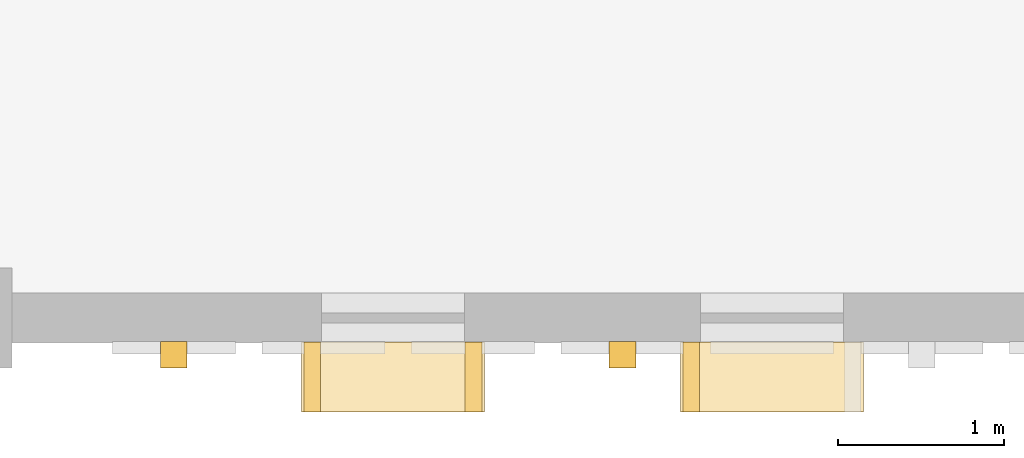
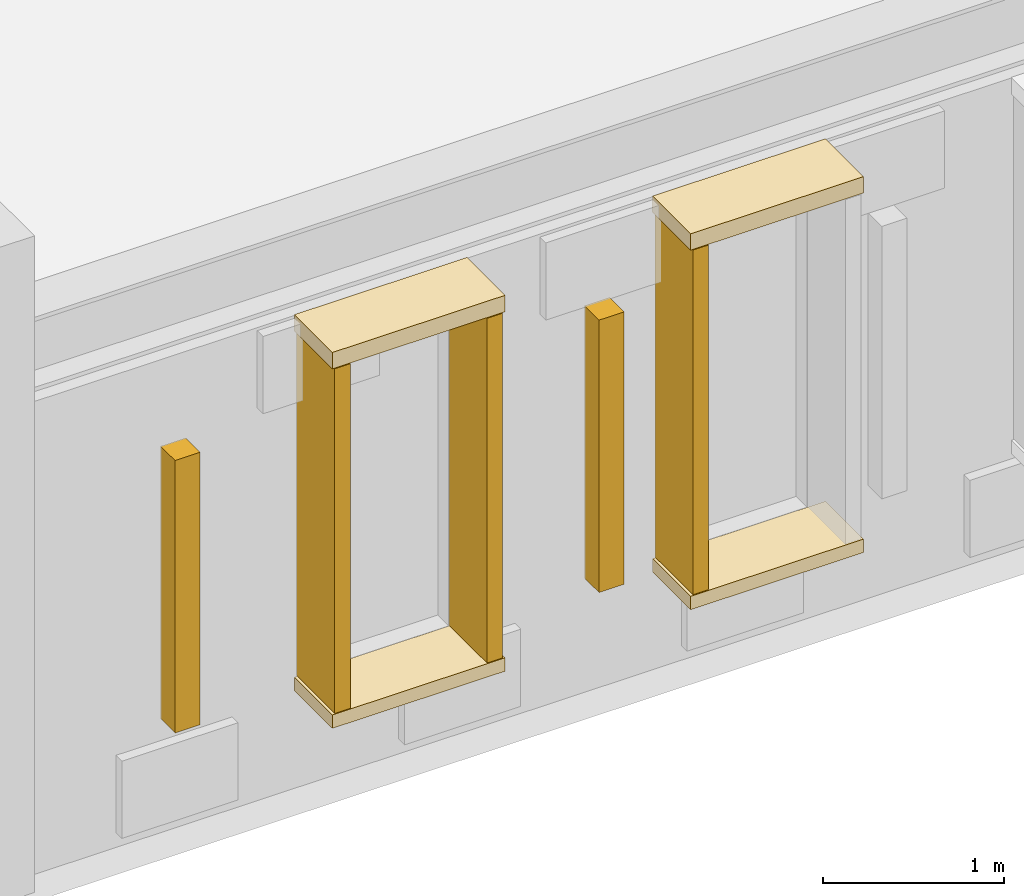
# One storey, part 54 of 69: 9 coverings.
"""IFC4 building model written with IfcOpenShell, lengths in metres."""

import ifcopenshell
import ifcopenshell.guid

model = None  # the IFC model being written
_history = None  # IfcOwnerHistory: only IFC2X3 demands one
_inside = {}  # id of a spatial element -> (the spatial element, [elements in it])
_under = {}  # id of a project, library or spatial element -> (it, [spatial elements below it])
_declared = {}  # id of a project -> (the project, [libraries it declares])
_typed = {}  # id of a type object -> (the type object, [elements of that type])
_made_of = {}  # id of a material, layer set ... -> (it, [elements and type objects made of it])


def new_model(schema):
    """Start an empty IFC model of exactly this schema.

    Asked for "IFC4X3", IfcOpenShell would pick the latest addendum, in which some entities
    have other attributes; the version numbers below select the first issue.
    IFC2X3 requires an IfcOwnerHistory on every rooted entity: one is made here for all.
    """
    global model, _history
    if schema == "IFC4X3":
        model = ifcopenshell.file(schema_version=(4, 3, 0, 0))
    else:
        model = ifcopenshell.file(schema=schema)
    _inside.clear()
    _under.clear()
    _declared.clear()
    _typed.clear()
    _made_of.clear()
    _history = None
    if model.schema == "IFC2X3":
        org = make("IfcOrganization", Name="unknown")
        user = make(
            "IfcPersonAndOrganization",
            ThePerson=make("IfcPerson", FamilyName="unknown"),
            TheOrganization=org,
        )
        app = make(
            "IfcApplication",
            ApplicationDeveloper=org,
            Version="unknown",
            ApplicationFullName="unknown",
            ApplicationIdentifier="unknown",
        )
        _history = make(
            "IfcOwnerHistory",
            OwningUser=user,
            OwningApplication=app,
            ChangeAction="ADDED",
            CreationDate=0,
        )
    return model


def make(cls, **values):
    """One entity of the class cls with the attributes given. An attribute that is None is left unset."""
    return model.create_entity(
        cls, **{name: value for name, value in values.items() if value is not None}
    )


def rooted(cls, **values):
    """An entity with a GlobalId (a new one), such as an element, a storey or a relation."""
    return make(cls, GlobalId=ifcopenshell.guid.new(), OwnerHistory=_history, **values)


def si_unit(unit_type, name, prefix=None):
    """IfcSIUnit, for example si_unit("LENGTHUNIT", "METRE", prefix="MILLI")."""
    return make("IfcSIUnit", UnitType=unit_type, Prefix=prefix, Name=name)


def assignment(units):
    """IfcUnitAssignment: the units of a project."""
    return None if units is None else make("IfcUnitAssignment", Units=units)


def point(xyz):
    """IfcCartesianPoint."""
    return None if xyz is None else make("IfcCartesianPoint", Coordinates=xyz)


def direction(xyz):
    """IfcDirection."""
    return None if xyz is None else make("IfcDirection", DirectionRatios=xyz)


def frame(location, z_axis=None, x_axis=None):
    """IfcAxis2Placement3D, a coordinate frame: its origin and axes. An axis left out is left unset."""
    return make(
        "IfcAxis2Placement3D",
        Location=point(location),
        Axis=direction(z_axis),
        RefDirection=direction(x_axis),
    )


def frame_2d(location, x_axis=None):
    """IfcAxis2Placement2D, a coordinate frame in the plane: its origin and x axis."""
    return make(
        "IfcAxis2Placement2D", Location=point(location), RefDirection=direction(x_axis)
    )


def origin():
    """The frame at (0, 0, 0) with its axes left unset."""
    return frame((0.0, 0.0, 0.0))


def origin_2d():
    """The frame at (0, 0) in the plane with its x axis left unset."""
    return frame_2d((0.0, 0.0))


def place(relative_to, where):
    """IfcLocalPlacement: puts the frame where relative to a parent placement (None: the world)."""
    return make(
        "IfcLocalPlacement", PlacementRelTo=relative_to, RelativePlacement=where
    )


def context(
    kind, dimensions, precision=None, world=None, true_north=None, identifier=None
):
    """IfcGeometricRepresentationContext, for example the 3D "Model" context."""
    return make(
        "IfcGeometricRepresentationContext",
        ContextIdentifier=identifier,
        ContextType=kind,
        CoordinateSpaceDimension=dimensions,
        Precision=precision,
        WorldCoordinateSystem=world,
        TrueNorth=true_north,
    )


def subcontext(parent, identifier, kind, view, scale=None):
    """IfcGeometricRepresentationSubContext, for example "Body" below "Model"."""
    return make(
        "IfcGeometricRepresentationSubContext",
        ContextIdentifier=identifier,
        ContextType=kind,
        ParentContext=parent,
        TargetScale=scale,
        TargetView=view,
    )


def project(units=None, contexts=None):
    """IfcProject with its units and contexts."""
    return rooted(
        "IfcProject",
        Name="project",
        RepresentationContexts=contexts,
        UnitsInContext=assignment(units),
    )


def spatial(cls, under=None, at=None, **own):
    """A site, building, storey or space (cls), placed at a placement, below another one or the project."""
    s = rooted(cls, ObjectPlacement=at, **own)
    if under is not None:
        _under.setdefault(under.id(), (under, []))[1].append(s)
    return s


def profile(cls, at=None, kind="AREA", **sizes):
    """A parametric profile (cls). Its sizes go by their IFC names, for example OverallWidth=200.0."""
    return make(cls, ProfileType=kind, Position=at, **sizes)


def rectangle(**sizes):
    """IfcRectangleProfileDef."""
    return profile("IfcRectangleProfileDef", **sizes)


def extrude(swept, where, along, depth):
    """IfcExtrudedAreaSolid: the profile swept, set in the frame where, extruded along a direction by depth."""
    return make(
        "IfcExtrudedAreaSolid",
        SweptArea=swept,
        Position=where,
        ExtrudedDirection=direction(along),
        Depth=depth,
    )


def shape(context_of_items, identifier, shape_type, items):
    """IfcShapeRepresentation: the items that make up one representation, for example the "Body"."""
    return make(
        "IfcShapeRepresentation",
        ContextOfItems=context_of_items,
        RepresentationIdentifier=identifier,
        RepresentationType=shape_type,
        Items=items,
    )


def material(Name=None, Category=None):
    """IfcMaterial."""
    return make("IfcMaterial", Name=Name, Category=Category)


def layer(
    of_material, thickness, ventilated=None, Name=None, Category=None, Priority=None
):
    """IfcMaterialLayer: one layer of a wall or slab, of a material (None: an air gap)."""
    return make(
        "IfcMaterialLayer",
        Material=of_material,
        LayerThickness=thickness,
        IsVentilated=ventilated,
        Name=Name,
        Category=Category,
        Priority=Priority,
    )


def layer_set(layers, Name=None):
    """IfcMaterialLayerSet."""
    return make("IfcMaterialLayerSet", MaterialLayers=layers, LayerSetName=Name)


def made_of(thing, what):
    """Note that an element or type object is made of a material, layer set ...; save() writes the relation."""
    if what is not None:
        _made_of.setdefault(what.id(), (what, []))[1].append(thing)
    return thing


def type_object(cls, material=None, **own):
    """A type object (cls), such as IfcWallType, which elements share."""
    return made_of(rooted(cls, **own), material)


def element(
    cls,
    number,
    at=None,
    inside=None,
    cuts=None,
    type_object=None,
    material=None,
    context=None,
    identifier="Body",
    shape_type=None,
    held_by="IfcProductDefinitionShape",
    body=None,
    shapes=None,
    **own,
):
    """One element of the class cls, such as IfcWall. Its Tag is "e" and its number.

    at: its placement. inside: the storey or other place that contains it. cuts: it is an
    opening in that element (IfcRelVoidsElement). A single representation is given by context,
    identifier, shape_type and body (its items); several are given by shapes. held_by: the class
    of the entity that holds the representations. save() writes the other relations.
    """
    e = rooted(cls, Tag="e%d" % number, ObjectPlacement=at, **own)
    if body is not None:
        shapes = [shape(context, identifier, shape_type, body)]
    if shapes is not None:
        e.Representation = make(held_by, Representations=shapes)
    if inside is not None:
        _inside.setdefault(inside.id(), (inside, []))[1].append(e)
    if cuts is not None:
        rooted(
            "IfcRelVoidsElement", RelatingBuildingElement=cuts, RelatedOpeningElement=e
        )
    if type_object is not None:
        _typed.setdefault(type_object.id(), (type_object, []))[1].append(e)
    return made_of(e, material)


def aggregate(whole, parts):
    """IfcRelAggregates: a whole, such as a stair, and the parts it consists of."""
    return rooted("IfcRelAggregates", RelatingObject=whole, RelatedObjects=parts)


def save(model, path):
    """Write the relations noted so far, then the file.

    IfcRelAggregates (storeys below a building ...), IfcRelContainedInSpatialStructure (elements
    in a storey), IfcRelDefinesByType, IfcRelAssociatesMaterial and IfcRelDeclares: one each for
    every whole, place, type object, material and project.
    """
    for whole, parts in _under.values():
        aggregate(whole, parts)
    for where, things in _inside.values():
        rooted(
            "IfcRelContainedInSpatialStructure",
            RelatedElements=things,
            RelatingStructure=where,
        )
    for kind, things in _typed.values():
        rooted("IfcRelDefinesByType", RelatedObjects=things, RelatingType=kind)
    for what, things in _made_of.values():
        rooted("IfcRelAssociatesMaterial", RelatedObjects=things, RelatingMaterial=what)
    for by, libraries in _declared.values():
        rooted("IfcRelDeclares", RelatingContext=by, RelatedDefinitions=libraries)
    model.write(path)


model = new_model("IFC4")

# Units and contexts
model_context = context("Model", 3, precision=1e-05, world=origin(), true_north=direction((0.0, 1.0)))
body_context = subcontext(model_context, "Body", "Model", "MODEL_VIEW")
ifc_project = project(units=[si_unit("LENGTHUNIT", "METRE"), si_unit("AREAUNIT", "SQUARE_METRE"), si_unit("VOLUMEUNIT", "CUBIC_METRE"), si_unit("PLANEANGLEUNIT", "RADIAN"), si_unit("MASSUNIT", "GRAM", prefix="KILO")], contexts=[model_context])

# Site, building, storey
site_placement = place(None, origin())
site = spatial("IfcSite", under=ifc_project, at=site_placement, CompositionType="ELEMENT")
building_placement = place(site_placement, origin())
building = spatial("IfcBuilding", under=site, at=building_placement, Name="Nzembalo Square Collegiate School", CompositionType="ELEMENT")
storey_placement = place(building_placement, frame((0.0, 0.0, 5.10009765625)))
storey = spatial("IfcBuildingStorey", under=building, at=storey_placement, Name="L01", CompositionType="ELEMENT", Elevation=5.10009765625)

# Coverings
ifc_material_1 = material(Name="Glazed ochre ceramic lancet rib")
ifc_layer_1 = layer(ifc_material_1, 0.159912109375, Name="Glazed ochre ceramic lancet rib")
ifc_layer_set_1 = layer_set([ifc_layer_1], Name="Glazed ochre ceramic lancet rib")
covering_type_1 = type_object("IfcCoveringType", Name="CL02", PredefinedType="CLADDING", material=ifc_layer_set_1)
for number, where, z_axis, x_axis, name in (
    (1, (132.0, 8.179931640625, 0.760009765625), (0.0, 0.0, 1.0), (1.0, 0.0, 0.0), "Gothic ceramic rib CL02-X0105-0"),
    (2, (134.699951171875, 8.179931640625, 0.760009765625), (0.0, 0.0, 1.0), (1.0, 0.0, 0.0), "Gothic ceramic rib CL02-X0105-3"),
):
    element("IfcCovering", number, at=place(storey_placement, frame(where, z_axis=z_axis, x_axis=x_axis)), inside=storey, type_object=covering_type_1, Name=name, PredefinedType="CLADDING", context=body_context, shape_type="SweptSolid", body=[
        extrude(rectangle(XDim=0.159912109375, YDim=0.159912109375, at=origin_2d()), origin(), (0.0, 0.0, 1.0), 1.833984375),
    ])
ifc_material_2 = material(Name="Glazed celadon ceramic window frame")
ifc_layer_2 = layer(ifc_material_2, 0.419921875, Name="Glazed celadon ceramic window frame")
ifc_layer_set_2 = layer_set([ifc_layer_2], Name="Glazed celadon ceramic window frame")
covering_type_2 = type_object("IfcCoveringType", Name="WF01", PredefinedType="CLADDING", material=ifc_layer_set_2)
covering_1_placement = place(storey_placement, frame((133.318603515625, 8.044921875, 3.07470703125), z_axis=(0.0, 0.0, 1.0), x_axis=(1.0, 0.0, 0.0)))
element("IfcCovering", 3, at=covering_1_placement, inside=storey, type_object=covering_type_2, Name="Deep lancet window hood WF01-0208", PredefinedType="CLADDING", context=body_context, shape_type="SweptSolid", body=[
    extrude(rectangle(XDim=1.10009765625, YDim=0.419921875, at=origin_2d()), origin(), (0.0, 0.0, 1.0), 0.110107421875),
])
covering_2_placement = place(storey_placement, frame((133.318603515625, 8.044921875, 0.65478515625), z_axis=(0.0, 0.0, 1.0), x_axis=(1.0, 0.0, 0.0)))
element("IfcCovering", 4, at=covering_2_placement, inside=storey, type_object=covering_type_2, Name="Deep lancet window sill WF01-0208", PredefinedType="CLADDING", context=body_context, shape_type="SweptSolid", body=[
    extrude(rectangle(XDim=1.10009765625, YDim=0.419921875, at=origin_2d()), origin(), (0.0, 0.0, 1.0), 0.090087890625),
])
for number, where, z_axis, x_axis, name in (
    (5, (132.83349609375, 8.044921875, 0.75), (0.0, 0.0, 1.0), (1.0, 0.0, 0.0), "Deep lancet window jamb WF01-0208L"),
    (6, (133.803466796875, 8.044921875, 0.75), (0.0, 0.0, 1.0), (1.0, 0.0, 0.0), "Deep lancet window jamb WF01-0208R"),
):
    element("IfcCovering", number, at=place(storey_placement, frame(where, z_axis=z_axis, x_axis=x_axis)), inside=storey, type_object=covering_type_2, Name=name, PredefinedType="CLADDING", context=body_context, shape_type="SweptSolid", body=[
        extrude(rectangle(XDim=0.10009765625, YDim=0.419921875, at=origin_2d()), origin(), (0.0, 0.0, 1.0), 2.320068359375),
    ])
covering_3_placement = place(storey_placement, frame((135.60009765625, 8.044921875, 3.07470703125), z_axis=(0.0, 0.0, 1.0), x_axis=(1.0, 0.0, 0.0)))
element("IfcCovering", 7, at=covering_3_placement, inside=storey, type_object=covering_type_2, Name="Deep lancet window hood WF01-0209", PredefinedType="CLADDING", context=body_context, shape_type="SweptSolid", body=[
    extrude(rectangle(XDim=1.10009765625, YDim=0.419921875, at=origin_2d()), origin(), (0.0, 0.0, 1.0), 0.110107421875),
])
covering_4_placement = place(storey_placement, frame((135.60009765625, 8.044921875, 0.65478515625), z_axis=(0.0, 0.0, 1.0), x_axis=(1.0, 0.0, 0.0)))
element("IfcCovering", 8, at=covering_4_placement, inside=storey, type_object=covering_type_2, Name="Deep lancet window sill WF01-0209", PredefinedType="CLADDING", context=body_context, shape_type="SweptSolid", body=[
    extrude(rectangle(XDim=1.10009765625, YDim=0.419921875, at=origin_2d()), origin(), (0.0, 0.0, 1.0), 0.090087890625),
])
covering_5_placement = place(storey_placement, frame((135.114990234375, 8.044921875, 0.75), z_axis=(0.0, 0.0, 1.0), x_axis=(1.0, 0.0, 0.0)))
element("IfcCovering", 9, at=covering_5_placement, inside=storey, type_object=covering_type_2, Name="Deep lancet window jamb WF01-0209L", PredefinedType="CLADDING", context=body_context, shape_type="SweptSolid", body=[
    extrude(rectangle(XDim=0.10009765625, YDim=0.419921875, at=origin_2d()), origin(), (0.0, 0.0, 1.0), 2.320068359375),
])

save(model, "model.ifc")
